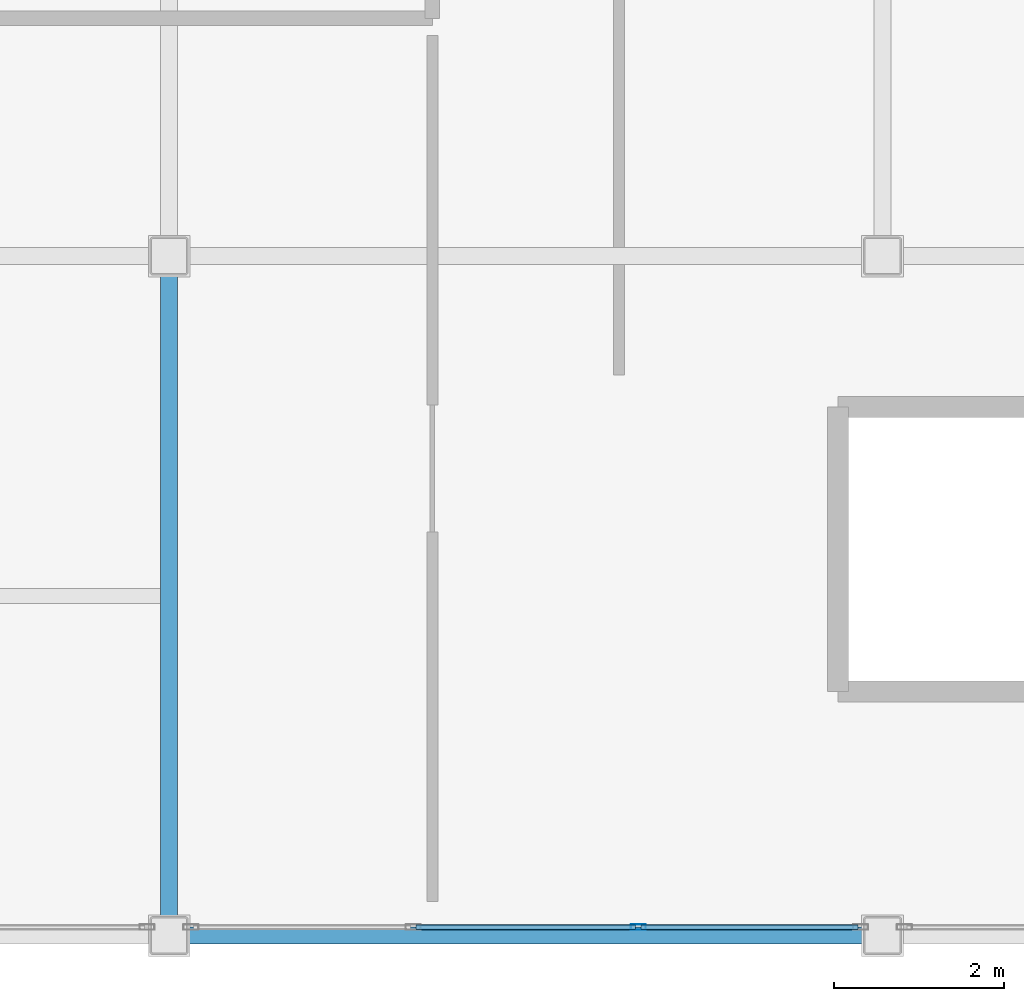
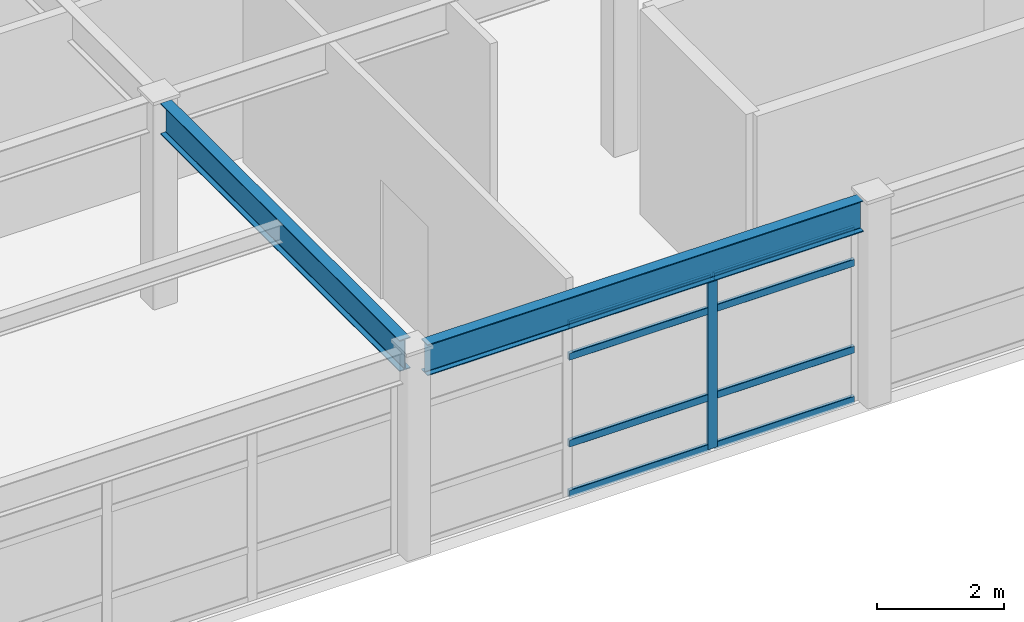
# One storey, part 4 of 34: 9 members, 2 beams, 1 element without a shape of its own.
"""IFC4 building model written with IfcOpenShell, lengths in metres."""

from ifc_helpers import new_model, si_unit, direction, frame, origin, origin_2d, place, context, subcontext, project, spatial, hollow_rectangle, i_section, extrude, material, layer, layer_set, material_profile, profile_set, type_object, element, aggregate, save


model = new_model("IFC4")

# Units and contexts
model_context = context("Model", 3, precision=1e-05, world=origin(), true_north=direction((0.0, 1.0)))
body_context = subcontext(model_context, "Body", "Model", "MODEL_VIEW")
ifc_project = project(units=[si_unit("LENGTHUNIT", "METRE"), si_unit("AREAUNIT", "SQUARE_METRE"), si_unit("VOLUMEUNIT", "CUBIC_METRE"), si_unit("PLANEANGLEUNIT", "RADIAN"), si_unit("MASSUNIT", "GRAM", prefix="KILO")], contexts=[model_context])

# Site, building, storey
site_placement = place(None, origin())
site = spatial("IfcSite", under=ifc_project, at=site_placement, CompositionType="ELEMENT")
building_placement = place(site_placement, origin())
building = spatial("IfcBuilding", under=site, at=building_placement, Name="Kazehara Bluff Congress Hotel", CompositionType="ELEMENT")
storey_placement = place(building_placement, frame((0.0, 0.0, 46.199951171875)))
storey = spatial("IfcBuildingStorey", under=building, at=storey_placement, Name="L11", CompositionType="ELEMENT", Elevation=46.199951171875)

# Curtain wall, members
ifc_material_1 = material(Name="Anodised aluminium", Category="aluminium")
ifc_layer = layer(ifc_material_1, 0.159912109375)
ifc_layer_set = layer_set([ifc_layer], Name="Anodised aluminium")
curtain_wall_type = type_object("IfcCurtainWallType", Name="TP-CW-206", PredefinedType="NOTDEFINED", material=ifc_layer_set)
curtain_wall_placement = place(storey_placement, origin())
curtain_wall = element("IfcCurtainWall", 1, at=curtain_wall_placement, inside=storey, type_object=curtain_wall_type, Name="L11 curtain wall CW-206 CW-ENC-V5-L11-15630-1610", PredefinedType="NOTDEFINED")
ifc_material_2 = material(Name="Anodised aluminium", Category="aluminium")
ifc_material_profile_1 = material_profile(ifc_material_2, hollow_rectangle(XDim=0.06494140625, YDim=0.179931640625, WallThickness=0.00390625, InnerFilletRadius=0.00390625, OuterFilletRadius=0.008056640625, at=origin_2d()))
ifc_profile_set_1 = profile_set([ifc_material_profile_1], Name="Anodised aluminium")
member_type_1 = type_object("IfcMemberType", Name="TP-CWM-02", PredefinedType="MULLION", material=ifc_profile_set_1)
member_1_placement = place(storey_placement, frame((157.625, 16.10009765625, 0.0), z_axis=(0.0, 0.0, 1.0), x_axis=(0.0, -1.0, 0.0)))
member_1 = element("IfcMember", 2, at=member_1_placement, type_object=member_type_1, Name="CW-206 mullion 2", PredefinedType="MULLION", context=body_context, shape_type="SweptSolid", body=[
    extrude(hollow_rectangle(XDim=0.06494140625, YDim=0.179931640625, WallThickness=0.00390625, InnerFilletRadius=0.00390625, OuterFilletRadius=0.008056640625, at=origin_2d()), origin(), (0.0, 0.0, 1.0), 3.324951171875),
])
ifc_material_3 = material(Name="Anodised aluminium", Category="aluminium")
ifc_material_profile_2 = material_profile(ifc_material_3, hollow_rectangle(XDim=0.06494140625, YDim=0.139892578125, WallThickness=0.00390625, InnerFilletRadius=0.00390625, OuterFilletRadius=0.008056640625, at=origin_2d()))
ifc_profile_set_2 = profile_set([ifc_material_profile_2], Name="Anodised aluminium")
member_type_2 = type_object("IfcMemberType", Name="TP-CWT-02", PredefinedType="USERDEFINED", material=ifc_profile_set_2)
member_2_placement = place(storey_placement, frame((160.2099609375, 16.10009765625, 0.032470703125), z_axis=(-1.0, 0.0, 0.0), x_axis=(0.0, -1.0, 0.0)))
member_2 = element("IfcMember", 3, at=member_2_placement, type_object=member_type_2, Name="CW-206 transom 1.1", ObjectType="TRANSOM", PredefinedType="USERDEFINED", context=body_context, shape_type="SweptSolid", body=[
    extrude(hollow_rectangle(XDim=0.06494140625, YDim=0.139892578125, WallThickness=0.00390625, InnerFilletRadius=0.00390625, OuterFilletRadius=0.008056640625, at=origin_2d()), origin(), (0.0, 0.0, 1.0), 2.552490234375),
])
member_3_placement = place(storey_placement, frame((160.2099609375, 16.10009765625, 1.0), z_axis=(-1.0, 0.0, 0.0), x_axis=(0.0, -1.0, 0.0)))
member_3 = element("IfcMember", 4, at=member_3_placement, type_object=member_type_2, Name="CW-206 transom 1.2", ObjectType="TRANSOM", PredefinedType="USERDEFINED", context=body_context, shape_type="SweptSolid", body=[
    extrude(hollow_rectangle(XDim=0.06494140625, YDim=0.139892578125, WallThickness=0.00390625, InnerFilletRadius=0.00390625, OuterFilletRadius=0.008056640625, at=origin_2d()), origin(), (0.0, 0.0, 1.0), 2.552490234375),
])
member_4_placement = place(storey_placement, frame((160.2099609375, 16.10009765625, 2.675048828125), z_axis=(-1.0, 0.0, 0.0), x_axis=(0.0, -1.0, 0.0)))
member_4 = element("IfcMember", 5, at=member_4_placement, type_object=member_type_2, Name="CW-206 transom 1.3", ObjectType="TRANSOM", PredefinedType="USERDEFINED", context=body_context, shape_type="SweptSolid", body=[
    extrude(hollow_rectangle(XDim=0.06494140625, YDim=0.139892578125, WallThickness=0.00390625, InnerFilletRadius=0.00390625, OuterFilletRadius=0.008056640625, at=origin_2d()), origin(), (0.0, 0.0, 1.0), 2.552490234375),
])
member_5_placement = place(storey_placement, frame((160.2099609375, 16.10009765625, 3.29248046875), z_axis=(-1.0, 0.0, 0.0), x_axis=(0.0, -1.0, 0.0)))
member_5 = element("IfcMember", 6, at=member_5_placement, type_object=member_type_2, Name="CW-206 transom 1.4", ObjectType="TRANSOM", PredefinedType="USERDEFINED", context=body_context, shape_type="SweptSolid", body=[
    extrude(hollow_rectangle(XDim=0.06494140625, YDim=0.139892578125, WallThickness=0.00390625, InnerFilletRadius=0.00390625, OuterFilletRadius=0.008056640625, at=origin_2d()), origin(), (0.0, 0.0, 1.0), 2.552490234375),
])
member_6_placement = place(storey_placement, frame((157.592529296875, 16.10009765625, 0.032470703125), z_axis=(-1.0, 0.0, 0.0), x_axis=(0.0, -1.0, 0.0)))
member_6 = element("IfcMember", 7, at=member_6_placement, type_object=member_type_2, Name="CW-206 transom 2.1", ObjectType="TRANSOM", PredefinedType="USERDEFINED", context=body_context, shape_type="SweptSolid", body=[
    extrude(hollow_rectangle(XDim=0.06494140625, YDim=0.139892578125, WallThickness=0.00390625, InnerFilletRadius=0.00390625, OuterFilletRadius=0.008056640625, at=origin_2d()), origin(), (0.0, 0.0, 1.0), 2.5849609375),
])
member_7_placement = place(storey_placement, frame((157.592529296875, 16.10009765625, 1.0), z_axis=(-1.0, 0.0, 0.0), x_axis=(0.0, -1.0, 0.0)))
member_7 = element("IfcMember", 8, at=member_7_placement, type_object=member_type_2, Name="CW-206 transom 2.2", ObjectType="TRANSOM", PredefinedType="USERDEFINED", context=body_context, shape_type="SweptSolid", body=[
    extrude(hollow_rectangle(XDim=0.06494140625, YDim=0.139892578125, WallThickness=0.00390625, InnerFilletRadius=0.00390625, OuterFilletRadius=0.008056640625, at=origin_2d()), origin(), (0.0, 0.0, 1.0), 2.5849609375),
])
member_8_placement = place(storey_placement, frame((157.592529296875, 16.10009765625, 2.675048828125), z_axis=(-1.0, 0.0, 0.0), x_axis=(0.0, -1.0, 0.0)))
member_8 = element("IfcMember", 9, at=member_8_placement, type_object=member_type_2, Name="CW-206 transom 2.3", ObjectType="TRANSOM", PredefinedType="USERDEFINED", context=body_context, shape_type="SweptSolid", body=[
    extrude(hollow_rectangle(XDim=0.06494140625, YDim=0.139892578125, WallThickness=0.00390625, InnerFilletRadius=0.00390625, OuterFilletRadius=0.008056640625, at=origin_2d()), origin(), (0.0, 0.0, 1.0), 2.5849609375),
])
member_9_placement = place(storey_placement, frame((157.592529296875, 16.10009765625, 3.29248046875), z_axis=(-1.0, 0.0, 0.0), x_axis=(0.0, -1.0, 0.0)))
member_9 = element("IfcMember", 10, at=member_9_placement, type_object=member_type_2, Name="CW-206 transom 2.4", ObjectType="TRANSOM", PredefinedType="USERDEFINED", context=body_context, shape_type="SweptSolid", body=[
    extrude(hollow_rectangle(XDim=0.06494140625, YDim=0.139892578125, WallThickness=0.00390625, InnerFilletRadius=0.00390625, OuterFilletRadius=0.008056640625, at=origin_2d()), origin(), (0.0, 0.0, 1.0), 2.5849609375),
])
aggregate(curtain_wall, [member_1, member_2, member_3, member_4, member_5, member_6, member_7, member_8, member_9])

# Beams
ifc_material_4 = material(Name="Steel SN490B", Category="steel")
ifc_material_profile_3 = material_profile(ifc_material_4, i_section(OverallWidth=0.199951171875, OverallDepth=0.60009765625, WebThickness=0.010986328125, FlangeThickness=0.01708984375, FilletRadius=0.012939453125, at=origin_2d()))
ifc_profile_set_3 = profile_set([ifc_material_profile_3], Name="Steel SN490B")
beam_type = type_object("IfcBeamType", Name="TP-G-02", PredefinedType="BEAM", material=ifc_profile_set_3)
beam_1_placement = place(storey_placement, frame((152.10009765625, 16.22509765625, 3.650146484375), z_axis=(0.0, 1.0, 0.0), x_axis=(-1.0, 0.0, 0.0)))
element("IfcBeam", 11, at=beam_1_placement, inside=storey, type_object=beam_type, Name="L11 girder G-02 8", PredefinedType="BEAM", context=body_context, shape_type="SweptSolid", body=[
    extrude(i_section(OverallWidth=0.199951171875, OverallDepth=0.60009765625, WebThickness=0.010986328125, FlangeThickness=0.01708984375, FilletRadius=0.012939453125, at=origin_2d()), origin(), (0.0, 0.0, 1.0), 7.5498046875),
])
beam_2_placement = place(storey_placement, frame((152.324951171875, 16.0, 3.650146484375), z_axis=(1.0, 0.0, 0.0), x_axis=(0.0, 1.0, 0.0)))
element("IfcBeam", 12, at=beam_2_placement, inside=storey, type_object=beam_type, Name="L11 girder G-02 26", PredefinedType="BEAM", context=body_context, shape_type="SweptSolid", body=[
    extrude(i_section(OverallWidth=0.199951171875, OverallDepth=0.60009765625, WebThickness=0.010986328125, FlangeThickness=0.01708984375, FilletRadius=0.012939453125, at=origin_2d()), origin(), (0.0, 0.0, 1.0), 7.949951171875),
])

save(model, "model.ifc")
